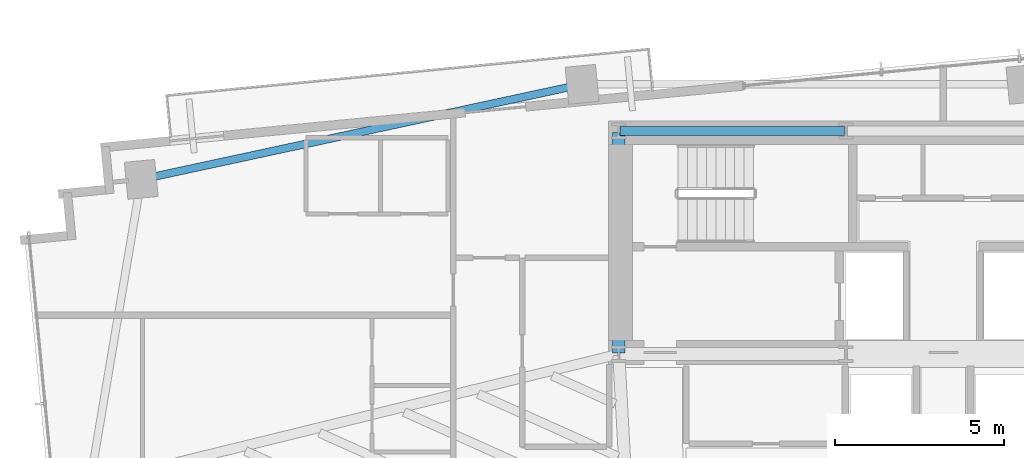
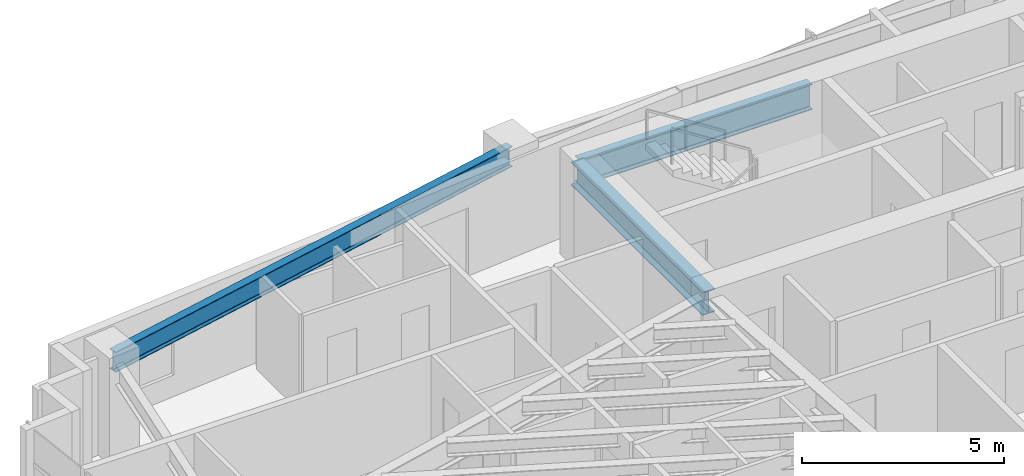
# One storey, part 9 of 27: 3 beams.
"""IFC4 building model written with IfcOpenShell, lengths in metres."""

from ifc_helpers import new_model, si_unit, direction, frame, origin, origin_2d, place, context, subcontext, project, spatial, i_section, extrude, source, transform, mapped, material, material_profile, profile_set, type_object, type_shapes, element, save


model = new_model("IFC4")

# Units and contexts
model_context = context("Model", 3, precision=1e-05, world=origin(), true_north=direction((0.0, 1.0)))
body_context = subcontext(model_context, "Body", "Model", "MODEL_VIEW")
ifc_project = project(units=[si_unit("LENGTHUNIT", "METRE"), si_unit("AREAUNIT", "SQUARE_METRE"), si_unit("VOLUMEUNIT", "CUBIC_METRE"), si_unit("PLANEANGLEUNIT", "RADIAN"), si_unit("MASSUNIT", "GRAM", prefix="KILO")], contexts=[model_context])

# Site, building, storey
site_placement = place(None, origin())
site = spatial("IfcSite", under=ifc_project, at=site_placement, CompositionType="ELEMENT")
building_placement = place(site_placement, origin())
building = spatial("IfcBuilding", under=site, at=building_placement, Name="Astriad Promenade Condominiums", CompositionType="ELEMENT")
storey_placement = place(building_placement, frame((0.0, 0.0, 113.0)))
storey = spatial("IfcBuildingStorey", under=building, at=storey_placement, Name="L32", CompositionType="ELEMENT", Elevation=113.0)

# Beams
ifc_material = material(Name="Steel ASTM A992 Grade 50", Category="steel")
ifc_material_profile_1 = material_profile(ifc_material, i_section(OverallWidth=0.267822265625, OverallDepth=0.76953125, WebThickness=0.015625, FlangeThickness=0.025390625, FilletRadius=0.021484375, at=origin_2d()), Name="W30X132")
ifc_profile_set_1 = profile_set([ifc_material_profile_1], Name="Steel ASTM A992 Grade 50")
beam_type_1 = type_object("IfcBeamType", Name="STEEL FLOOR GIRDER W30X132", PredefinedType="BEAM", material=ifc_profile_set_1)
shared_shape_1 = source(origin(), body_context, "Body", "SweptSolid", [
    extrude(i_section(OverallWidth=0.267822265625, OverallDepth=0.76953125, WebThickness=0.015625, FlangeThickness=0.025390625, FilletRadius=0.021484375, at=origin_2d()), origin(), (0.0, 0.0, 1.0), 6.64013671875),
])
type_shapes(beam_type_1, [shared_shape_1])
beam_1_placement = place(storey_placement, frame((26.43994140625, 24.0, 2.55517578125), z_axis=(1.0, 0.0, 0.0), x_axis=(0.0, 1.0, 0.0)))
element("IfcBeam", 1, at=beam_1_placement, inside=storey, type_object=beam_type_1, Name="Core Ring Beam CG-N1-L32", PredefinedType="BEAM", context=body_context, shape_type="MappedRepresentation", body=[
    mapped(shared_shape_1, transform((0.0, 0.0, 0.0), scale=1.0)),
])
ifc_material_profile_2 = material_profile(ifc_material, i_section(OverallWidth=0.35791015625, OverallDepth=0.706298828125, WebThickness=0.018310546875, FlangeThickness=0.0302734375, FilletRadius=0.020263671875, at=origin_2d()), Name="W27X178")
ifc_profile_set_2 = profile_set([ifc_material_profile_2], Name="Steel ASTM A992 Grade 50")
beam_type_2 = type_object("IfcBeamType", Name="STEEL FLOOR GIRDER W27X178", PredefinedType="BEAM", material=ifc_profile_set_2)
shared_shape_2 = source(origin(), body_context, "Body", "SweptSolid", [
    extrude(i_section(OverallWidth=0.35791015625, OverallDepth=0.706298828125, WebThickness=0.018310546875, FlangeThickness=0.0302734375, FilletRadius=0.020263671875, at=origin_2d()), origin(), (0.0, 0.0, 1.0), 6.52001953125),
])
type_shapes(beam_type_2, [shared_shape_2])
beam_2_placement = place(storey_placement, frame((26.39990234375, 17.43994140625, 2.5869140625), z_axis=(0.0, 1.0, 0.0), x_axis=(-1.0, 0.0, 0.0)))
element("IfcBeam", 2, at=beam_2_placement, inside=storey, type_object=beam_type_2, Name="Core Ring Beam CG-W1-L32", PredefinedType="BEAM", context=body_context, shape_type="MappedRepresentation", body=[
    mapped(shared_shape_2, transform((0.0, 0.0, 0.0), scale=1.0)),
])
ifc_material_profile_3 = material_profile(ifc_material, i_section(OverallWidth=0.22900390625, OverallDepth=0.612060546875, WebThickness=0.011962890625, FlangeThickness=0.01953125, FilletRadius=0.017822265625, at=origin_2d()), Name="W24X84")
ifc_profile_set_3 = profile_set([ifc_material_profile_3], Name="Steel ASTM A992 Grade 50")
beam_type_3 = type_object("IfcBeamType", Name="STEEL SPANDREL BEAM W24X84", PredefinedType="SPANDREL", material=ifc_profile_set_3)
shared_shape_3 = source(origin(), body_context, "Body", "SweptSolid", [
    extrude(i_section(OverallWidth=0.22900390625, OverallDepth=0.612060546875, WebThickness=0.011962890625, FlangeThickness=0.01953125, FilletRadius=0.017822265625, at=origin_2d()), origin(), (0.0, 0.0, 1.0), 13.25927734375),
])
type_shapes(beam_type_3, [shared_shape_3])
beam_3_placement = place(storey_placement, frame((25.27587890625, 25.37158203125, 2.6337890625), z_axis=(-0.977531608864, -0.210788884127, 0.0), x_axis=(0.210788884127, -0.977531608864, 0.0)))
element("IfcBeam", 3, at=beam_3_placement, inside=storey, type_object=beam_type_3, Name="Perimeter Spandrel Beam SP-N1-L32", PredefinedType="SPANDREL", context=body_context, shape_type="MappedRepresentation", body=[
    mapped(shared_shape_3, transform((0.0, 0.0, 0.0), scale=1.0)),
])

save(model, "model.ifc")
